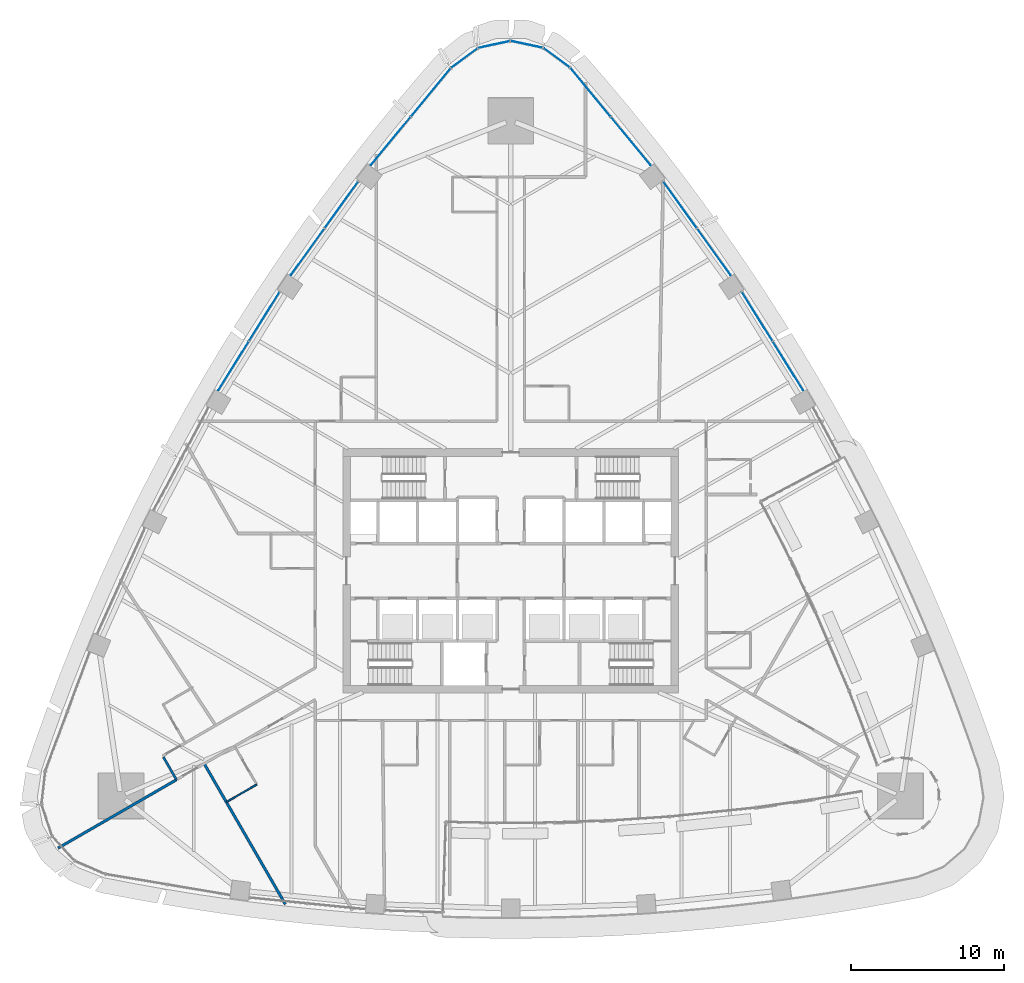
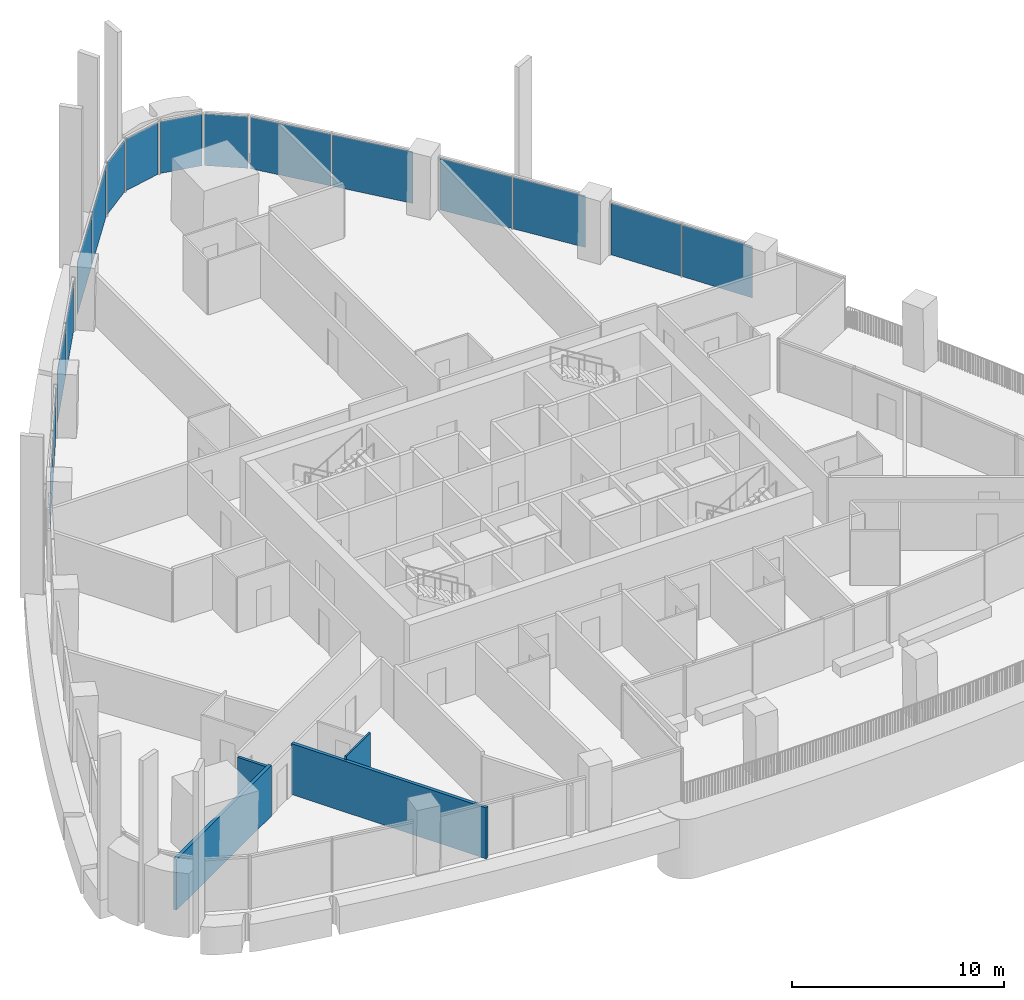
# One storey, part 10 of 22: 16 plates, 4 walls, 10 elements without a shape of their own.
"""IFC4 building model written with IfcOpenShell, lengths in metres."""

import ifcopenshell
import ifcopenshell.guid

model = None  # the IFC model being written
_history = None  # IfcOwnerHistory: only IFC2X3 demands one
_inside = {}  # id of a spatial element -> (the spatial element, [elements in it])
_under = {}  # id of a project, library or spatial element -> (it, [spatial elements below it])
_declared = {}  # id of a project -> (the project, [libraries it declares])
_typed = {}  # id of a type object -> (the type object, [elements of that type])
_made_of = {}  # id of a material, layer set ... -> (it, [elements and type objects made of it])


def new_model(schema):
    """Start an empty IFC model of exactly this schema.

    Asked for "IFC4X3", IfcOpenShell would pick the latest addendum, in which some entities
    have other attributes; the version numbers below select the first issue.
    IFC2X3 requires an IfcOwnerHistory on every rooted entity: one is made here for all.
    """
    global model, _history
    if schema == "IFC4X3":
        model = ifcopenshell.file(schema_version=(4, 3, 0, 0))
    else:
        model = ifcopenshell.file(schema=schema)
    _inside.clear()
    _under.clear()
    _declared.clear()
    _typed.clear()
    _made_of.clear()
    _history = None
    if model.schema == "IFC2X3":
        org = make("IfcOrganization", Name="unknown")
        user = make(
            "IfcPersonAndOrganization",
            ThePerson=make("IfcPerson", FamilyName="unknown"),
            TheOrganization=org,
        )
        app = make(
            "IfcApplication",
            ApplicationDeveloper=org,
            Version="unknown",
            ApplicationFullName="unknown",
            ApplicationIdentifier="unknown",
        )
        _history = make(
            "IfcOwnerHistory",
            OwningUser=user,
            OwningApplication=app,
            ChangeAction="ADDED",
            CreationDate=0,
        )
    return model


def make(cls, **values):
    """One entity of the class cls with the attributes given. An attribute that is None is left unset."""
    return model.create_entity(
        cls, **{name: value for name, value in values.items() if value is not None}
    )


def rooted(cls, **values):
    """An entity with a GlobalId (a new one), such as an element, a storey or a relation."""
    return make(cls, GlobalId=ifcopenshell.guid.new(), OwnerHistory=_history, **values)


def si_unit(unit_type, name, prefix=None):
    """IfcSIUnit, for example si_unit("LENGTHUNIT", "METRE", prefix="MILLI")."""
    return make("IfcSIUnit", UnitType=unit_type, Prefix=prefix, Name=name)


def assignment(units):
    """IfcUnitAssignment: the units of a project."""
    return None if units is None else make("IfcUnitAssignment", Units=units)


def point(xyz):
    """IfcCartesianPoint."""
    return None if xyz is None else make("IfcCartesianPoint", Coordinates=xyz)


def direction(xyz):
    """IfcDirection."""
    return None if xyz is None else make("IfcDirection", DirectionRatios=xyz)


def frame(location, z_axis=None, x_axis=None):
    """IfcAxis2Placement3D, a coordinate frame: its origin and axes. An axis left out is left unset."""
    return make(
        "IfcAxis2Placement3D",
        Location=point(location),
        Axis=direction(z_axis),
        RefDirection=direction(x_axis),
    )


def frame_2d(location, x_axis=None):
    """IfcAxis2Placement2D, a coordinate frame in the plane: its origin and x axis."""
    return make(
        "IfcAxis2Placement2D", Location=point(location), RefDirection=direction(x_axis)
    )


def origin():
    """The frame at (0, 0, 0) with its axes left unset."""
    return frame((0.0, 0.0, 0.0))


def origin_2d():
    """The frame at (0, 0) in the plane with its x axis left unset."""
    return frame_2d((0.0, 0.0))


def place(relative_to, where):
    """IfcLocalPlacement: puts the frame where relative to a parent placement (None: the world)."""
    return make(
        "IfcLocalPlacement", PlacementRelTo=relative_to, RelativePlacement=where
    )


def context(
    kind, dimensions, precision=None, world=None, true_north=None, identifier=None
):
    """IfcGeometricRepresentationContext, for example the 3D "Model" context."""
    return make(
        "IfcGeometricRepresentationContext",
        ContextIdentifier=identifier,
        ContextType=kind,
        CoordinateSpaceDimension=dimensions,
        Precision=precision,
        WorldCoordinateSystem=world,
        TrueNorth=true_north,
    )


def subcontext(parent, identifier, kind, view, scale=None):
    """IfcGeometricRepresentationSubContext, for example "Body" below "Model"."""
    return make(
        "IfcGeometricRepresentationSubContext",
        ContextIdentifier=identifier,
        ContextType=kind,
        ParentContext=parent,
        TargetScale=scale,
        TargetView=view,
    )


def project(units=None, contexts=None):
    """IfcProject with its units and contexts."""
    return rooted(
        "IfcProject",
        Name="project",
        RepresentationContexts=contexts,
        UnitsInContext=assignment(units),
    )


def spatial(cls, under=None, at=None, **own):
    """A site, building, storey or space (cls), placed at a placement, below another one or the project."""
    s = rooted(cls, ObjectPlacement=at, **own)
    if under is not None:
        _under.setdefault(under.id(), (under, []))[1].append(s)
    return s


def profile(cls, at=None, kind="AREA", **sizes):
    """A parametric profile (cls). Its sizes go by their IFC names, for example OverallWidth=200.0."""
    return make(cls, ProfileType=kind, Position=at, **sizes)


def rectangle(**sizes):
    """IfcRectangleProfileDef."""
    return profile("IfcRectangleProfileDef", **sizes)


def extrude(swept, where, along, depth):
    """IfcExtrudedAreaSolid: the profile swept, set in the frame where, extruded along a direction by depth."""
    return make(
        "IfcExtrudedAreaSolid",
        SweptArea=swept,
        Position=where,
        ExtrudedDirection=direction(along),
        Depth=depth,
    )


def shape(context_of_items, identifier, shape_type, items):
    """IfcShapeRepresentation: the items that make up one representation, for example the "Body"."""
    return make(
        "IfcShapeRepresentation",
        ContextOfItems=context_of_items,
        RepresentationIdentifier=identifier,
        RepresentationType=shape_type,
        Items=items,
    )


def material(Name=None, Category=None):
    """IfcMaterial."""
    return make("IfcMaterial", Name=Name, Category=Category)


def layer(
    of_material, thickness, ventilated=None, Name=None, Category=None, Priority=None
):
    """IfcMaterialLayer: one layer of a wall or slab, of a material (None: an air gap)."""
    return make(
        "IfcMaterialLayer",
        Material=of_material,
        LayerThickness=thickness,
        IsVentilated=ventilated,
        Name=Name,
        Category=Category,
        Priority=Priority,
    )


def layer_set(layers, Name=None):
    """IfcMaterialLayerSet."""
    return make("IfcMaterialLayerSet", MaterialLayers=layers, LayerSetName=Name)


def made_of(thing, what):
    """Note that an element or type object is made of a material, layer set ...; save() writes the relation."""
    if what is not None:
        _made_of.setdefault(what.id(), (what, []))[1].append(thing)
    return thing


def type_object(cls, material=None, **own):
    """A type object (cls), such as IfcWallType, which elements share."""
    return made_of(rooted(cls, **own), material)


def element(
    cls,
    number,
    at=None,
    inside=None,
    cuts=None,
    type_object=None,
    material=None,
    context=None,
    identifier="Body",
    shape_type=None,
    held_by="IfcProductDefinitionShape",
    body=None,
    shapes=None,
    **own,
):
    """One element of the class cls, such as IfcWall. Its Tag is "e" and its number.

    at: its placement. inside: the storey or other place that contains it. cuts: it is an
    opening in that element (IfcRelVoidsElement). A single representation is given by context,
    identifier, shape_type and body (its items); several are given by shapes. held_by: the class
    of the entity that holds the representations. save() writes the other relations.
    """
    e = rooted(cls, Tag="e%d" % number, ObjectPlacement=at, **own)
    if body is not None:
        shapes = [shape(context, identifier, shape_type, body)]
    if shapes is not None:
        e.Representation = make(held_by, Representations=shapes)
    if inside is not None:
        _inside.setdefault(inside.id(), (inside, []))[1].append(e)
    if cuts is not None:
        rooted(
            "IfcRelVoidsElement", RelatingBuildingElement=cuts, RelatedOpeningElement=e
        )
    if type_object is not None:
        _typed.setdefault(type_object.id(), (type_object, []))[1].append(e)
    return made_of(e, material)


def aggregate(whole, parts):
    """IfcRelAggregates: a whole, such as a stair, and the parts it consists of."""
    return rooted("IfcRelAggregates", RelatingObject=whole, RelatedObjects=parts)


def save(model, path):
    """Write the relations noted so far, then the file.

    IfcRelAggregates (storeys below a building ...), IfcRelContainedInSpatialStructure (elements
    in a storey), IfcRelDefinesByType, IfcRelAssociatesMaterial and IfcRelDeclares: one each for
    every whole, place, type object, material and project.
    """
    for whole, parts in _under.values():
        aggregate(whole, parts)
    for where, things in _inside.values():
        rooted(
            "IfcRelContainedInSpatialStructure",
            RelatedElements=things,
            RelatingStructure=where,
        )
    for kind, things in _typed.values():
        rooted("IfcRelDefinesByType", RelatedObjects=things, RelatingType=kind)
    for what, things in _made_of.values():
        rooted("IfcRelAssociatesMaterial", RelatedObjects=things, RelatingMaterial=what)
    for by, libraries in _declared.values():
        rooted("IfcRelDeclares", RelatingContext=by, RelatedDefinitions=libraries)
    model.write(path)


model = new_model("IFC4")

# Units and contexts
model_context = context("Model", 3, precision=1e-05, world=origin(), true_north=direction((0.0, 1.0)))
body_context = subcontext(model_context, "Body", "Model", "MODEL_VIEW")
ifc_project = project(units=[si_unit("LENGTHUNIT", "METRE"), si_unit("AREAUNIT", "SQUARE_METRE"), si_unit("VOLUMEUNIT", "CUBIC_METRE"), si_unit("PLANEANGLEUNIT", "RADIAN"), si_unit("MASSUNIT", "GRAM", prefix="KILO")], contexts=[model_context])

# Site, building, storey
site_placement = place(None, origin())
site = spatial("IfcSite", under=ifc_project, at=site_placement, CompositionType="ELEMENT")
building_placement = place(site_placement, origin())
building = spatial("IfcBuilding", under=site, at=building_placement, Name="Sierra Prisma Convention Tower", CompositionType="ELEMENT")
storey_placement = place(building_placement, frame((0.0, 0.0, 103.5)))
storey = spatial("IfcBuildingStorey", under=building, at=storey_placement, Name="L22", CompositionType="ELEMENT", Elevation=103.5)

# Curtain wall, plates
ifc_material_1 = material(Name="Aluminium and glass curtain wall", Category="aluminium")
ifc_layer_1 = layer(ifc_material_1, 0.179931640625)
ifc_layer_set_1 = layer_set([ifc_layer_1], Name="CW-1 Plain shaft curtain wall")
curtain_wall_type = type_object("IfcCurtainWallType", Name="CW-1 Plain shaft curtain wall", PredefinedType="NOTDEFINED", material=ifc_layer_set_1)
curtain_wall_1_placement = place(storey_placement, origin())
curtain_wall_1 = element("IfcCurtainWall", 1, at=curtain_wall_1_placement, inside=storey, type_object=curtain_wall_type, Name="CW-1 NE4 L22", PredefinedType="NOTDEFINED")
ifc_material_2 = material(Name="Tinted glass bronze-grey IGU", Category="glass")
ifc_layer_2 = layer(ifc_material_2, 0.028076171875)
ifc_layer_set_2 = layer_set([ifc_layer_2], Name="CW-1 glass panel")
plate_type = type_object("IfcPlateType", Name="CW-1 glass panel", PredefinedType="CURTAIN_PANEL", material=ifc_layer_set_2)
plate_1_placement = place(storey_placement, frame((18.156982421875, 13.418701171875, 0.0), z_axis=(0.0, 0.0, 1.0), x_axis=(-0.528572824995, 0.848887960026, 0.0)))
plate_1 = element("IfcPlate", 2, at=plate_1_placement, type_object=plate_type, Name="CW-1 panel NE4.1", PredefinedType="CURTAIN_PANEL", context=body_context, shape_type="SweptSolid", body=[
    extrude(rectangle(XDim=3.74755859375, YDim=0.028076171875, at=origin_2d()), origin(), (0.0, 0.0, 1.0), 2.97998046875),
])
plate_2_placement = place(storey_placement, frame((16.13916015625, 16.659423828125, 0.0), z_axis=(0.0, 0.0, 1.0), x_axis=(-0.528572824995, 0.848887960026, 0.0)))
plate_2 = element("IfcPlate", 3, at=plate_2_placement, type_object=plate_type, Name="CW-1 panel NE4.2", PredefinedType="CURTAIN_PANEL", context=body_context, shape_type="SweptSolid", body=[
    extrude(rectangle(XDim=3.74755859375, YDim=0.028076171875, at=origin_2d()), origin(), (0.0, 0.0, 1.0), 2.97998046875),
])
aggregate(curtain_wall_1, [plate_1, plate_2])

curtain_wall_2_placement = place(storey_placement, origin())
curtain_wall_2 = element("IfcCurtainWall", 4, at=curtain_wall_2_placement, inside=storey, type_object=curtain_wall_type, Name="CW-1 NE5 L22", PredefinedType="NOTDEFINED")
plate_3_placement = place(storey_placement, frame((13.30712890625, 20.888427734375, 0.0), z_axis=(0.0, 0.0, 1.0), x_axis=(-0.583927104301, 0.811806095606, 0.0)))
plate_3 = element("IfcPlate", 5, at=plate_3_placement, type_object=plate_type, Name="CW-1 panel NE5.1", PredefinedType="CURTAIN_PANEL", context=body_context, shape_type="SweptSolid", body=[
    extrude(rectangle(XDim=3.732177734375, YDim=0.028076171875, at=origin_2d()), origin(), (0.0, 0.0, 1.0), 2.97998046875),
])
plate_4_placement = place(storey_placement, frame((11.086669921875, 23.97509765625, 0.0), z_axis=(0.0, 0.0, 1.0), x_axis=(-0.583927104301, 0.811806095606, 0.0)))
plate_4 = element("IfcPlate", 6, at=plate_4_placement, type_object=plate_type, Name="CW-1 panel NE5.2", PredefinedType="CURTAIN_PANEL", context=body_context, shape_type="SweptSolid", body=[
    extrude(rectangle(XDim=3.732177734375, YDim=0.028076171875, at=origin_2d()), origin(), (0.0, 0.0, 1.0), 2.97998046875),
])
aggregate(curtain_wall_2, [plate_3, plate_4])

curtain_wall_3_placement = place(storey_placement, origin())
curtain_wall_3 = element("IfcCurtainWall", 7, at=curtain_wall_3_placement, inside=storey, type_object=curtain_wall_type, Name="CW-1 NE6 L22", PredefinedType="NOTDEFINED")
plate_5_placement = place(storey_placement, frame((7.863525390625, 28.148681640625, 0.0), z_axis=(0.0, 0.0, 1.0), x_axis=(-0.636689237234, 0.771120493302, 0.0)))
plate_5 = element("IfcPlate", 8, at=plate_5_placement, type_object=plate_type, Name="CW-1 panel NE6.1", PredefinedType="CURTAIN_PANEL", context=body_context, shape_type="SweptSolid", body=[
    extrude(rectangle(XDim=4.053955078125, YDim=0.028076171875, at=origin_2d()), origin(), (0.0, 0.0, 1.0), 2.97998046875),
])
plate_6_placement = place(storey_placement, frame((5.23779296875, 31.328857421875, 0.0), z_axis=(0.0, 0.0, 1.0), x_axis=(-0.636689237234, 0.771120493302, 0.0)))
plate_6 = element("IfcPlate", 9, at=plate_6_placement, type_object=plate_type, Name="CW-1 panel NE6.2", PredefinedType="CURTAIN_PANEL", context=body_context, shape_type="SweptSolid", body=[
    extrude(rectangle(XDim=4.053955078125, YDim=0.028076171875, at=origin_2d()), origin(), (0.0, 0.0, 1.0), 2.97998046875),
])
aggregate(curtain_wall_3, [plate_5, plate_6])

# Curtain wall, plate
curtain_wall_4_placement = place(storey_placement, origin())
curtain_wall_4 = element("IfcCurtainWall", 10, at=curtain_wall_4_placement, inside=storey, type_object=curtain_wall_type, Name="CW-1 N1 L22", PredefinedType="NOTDEFINED")
plate_7_placement = place(storey_placement, frame((3.021728515625, 33.595703125, 0.0), z_axis=(0.0, 0.0, 1.0), x_axis=(-0.804798982615, 0.593547468684, 0.0)))
plate_7 = element("IfcPlate", 11, at=plate_7_placement, type_object=plate_type, Name="CW-1 panel N1.1", PredefinedType="CURTAIN_PANEL", context=body_context, shape_type="SweptSolid", body=[
    extrude(rectangle(XDim=2.049560546875, YDim=0.028076171875, at=origin_2d()), origin(), (0.0, 0.0, 1.0), 2.97998046875),
])
aggregate(curtain_wall_4, [plate_7])

curtain_wall_5_placement = place(storey_placement, origin())
curtain_wall_5 = element("IfcCurtainWall", 12, at=curtain_wall_5_placement, inside=storey, type_object=curtain_wall_type, Name="CW-1 N2 L22", PredefinedType="NOTDEFINED")
plate_8_placement = place(storey_placement, frame((1.0703125, 34.4755859375, 0.0), z_axis=(0.0, 0.0, 1.0), x_axis=(-0.977649925609, 0.210239441963, 0.0)))
plate_8 = element("IfcPlate", 13, at=plate_8_placement, type_object=plate_type, Name="CW-1 panel N2.1", PredefinedType="CURTAIN_PANEL", context=body_context, shape_type="SweptSolid", body=[
    extrude(rectangle(XDim=2.049560546875, YDim=0.028076171875, at=origin_2d()), origin(), (0.0, 0.0, 1.0), 2.97998046875),
])
aggregate(curtain_wall_5, [plate_8])

curtain_wall_6_placement = place(storey_placement, origin())
curtain_wall_6 = element("IfcCurtainWall", 14, at=curtain_wall_6_placement, inside=storey, type_object=curtain_wall_type, Name="CW-1 N3 L22", PredefinedType="NOTDEFINED")
plate_9_placement = place(storey_placement, frame((-1.0703125, 34.4755859375, 0.0), z_axis=(0.0, 0.0, 1.0), x_axis=(-0.977649925609, -0.210239441963, 0.0)))
plate_9 = element("IfcPlate", 15, at=plate_9_placement, type_object=plate_type, Name="CW-1 panel N3.1", PredefinedType="CURTAIN_PANEL", context=body_context, shape_type="SweptSolid", body=[
    extrude(rectangle(XDim=2.049560546875, YDim=0.028076171875, at=origin_2d()), origin(), (0.0, 0.0, 1.0), 2.97998046875),
])
aggregate(curtain_wall_6, [plate_9])

curtain_wall_7_placement = place(storey_placement, origin())
curtain_wall_7 = element("IfcCurtainWall", 16, at=curtain_wall_7_placement, inside=storey, type_object=curtain_wall_type, Name="CW-1 N4 L22", PredefinedType="NOTDEFINED")
plate_10_placement = place(storey_placement, frame((-3.021728515625, 33.595703125, 0.0), z_axis=(0.0, 0.0, 1.0), x_axis=(-0.804798982615, -0.593547468684, 0.0)))
plate_10 = element("IfcPlate", 17, at=plate_10_placement, type_object=plate_type, Name="CW-1 panel N4.1", PredefinedType="CURTAIN_PANEL", context=body_context, shape_type="SweptSolid", body=[
    extrude(rectangle(XDim=2.049560546875, YDim=0.028076171875, at=origin_2d()), origin(), (0.0, 0.0, 1.0), 2.97998046875),
])
aggregate(curtain_wall_7, [plate_10])

# Curtain wall, plates
curtain_wall_8_placement = place(storey_placement, origin())
curtain_wall_8 = element("IfcCurtainWall", 18, at=curtain_wall_8_placement, inside=storey, type_object=curtain_wall_type, Name="CW-1 NW1 L22", PredefinedType="NOTDEFINED")
plate_11_placement = place(storey_placement, frame((-5.23779296875, 31.328857421875, 0.0), z_axis=(0.0, 0.0, 1.0), x_axis=(-0.636689237234, -0.771120493302, 0.0)))
plate_11 = element("IfcPlate", 19, at=plate_11_placement, type_object=plate_type, Name="CW-1 panel NW1.1", PredefinedType="CURTAIN_PANEL", context=body_context, shape_type="SweptSolid", body=[
    extrude(rectangle(XDim=4.053955078125, YDim=0.028076171875, at=origin_2d()), origin(), (0.0, 0.0, 1.0), 2.97998046875),
])
plate_12_placement = place(storey_placement, frame((-7.863525390625, 28.148681640625, 0.0), z_axis=(0.0, 0.0, 1.0), x_axis=(-0.636689237234, -0.771120493302, 0.0)))
plate_12 = element("IfcPlate", 20, at=plate_12_placement, type_object=plate_type, Name="CW-1 panel NW1.2", PredefinedType="CURTAIN_PANEL", context=body_context, shape_type="SweptSolid", body=[
    extrude(rectangle(XDim=4.053955078125, YDim=0.028076171875, at=origin_2d()), origin(), (0.0, 0.0, 1.0), 2.97998046875),
])
aggregate(curtain_wall_8, [plate_11, plate_12])

curtain_wall_9_placement = place(storey_placement, origin())
curtain_wall_9 = element("IfcCurtainWall", 21, at=curtain_wall_9_placement, inside=storey, type_object=curtain_wall_type, Name="CW-1 NW2 L22", PredefinedType="NOTDEFINED")
plate_13_placement = place(storey_placement, frame((-11.087646484375, 23.973876953125, 0.0), z_axis=(0.0, 0.0, 1.0), x_axis=(-0.583927104301, -0.811806095606, 0.0)))
plate_13 = element("IfcPlate", 22, at=plate_13_placement, type_object=plate_type, Name="CW-1 panel NW2.1", PredefinedType="CURTAIN_PANEL", context=body_context, shape_type="SweptSolid", body=[
    extrude(rectangle(XDim=3.7314453125, YDim=0.028076171875, at=origin_2d()), origin(), (0.0, 0.0, 1.0), 2.97998046875),
])
plate_14_placement = place(storey_placement, frame((-13.307373046875, 20.887939453125, 0.0), z_axis=(0.0, 0.0, 1.0), x_axis=(-0.583927104301, -0.811806095606, 0.0)))
plate_14 = element("IfcPlate", 23, at=plate_14_placement, type_object=plate_type, Name="CW-1 panel NW2.2", PredefinedType="CURTAIN_PANEL", context=body_context, shape_type="SweptSolid", body=[
    extrude(rectangle(XDim=3.7314453125, YDim=0.028076171875, at=origin_2d()), origin(), (0.0, 0.0, 1.0), 2.97998046875),
])
aggregate(curtain_wall_9, [plate_13, plate_14])

curtain_wall_10_placement = place(storey_placement, origin())
curtain_wall_10 = element("IfcCurtainWall", 24, at=curtain_wall_10_placement, inside=storey, type_object=curtain_wall_type, Name="CW-1 NW3 L22", PredefinedType="NOTDEFINED")
plate_15_placement = place(storey_placement, frame((-16.13916015625, 16.6591796875, 0.0), z_axis=(0.0, 0.0, 1.0), x_axis=(-0.528572824995, -0.848887960026, 0.0)))
plate_15 = element("IfcPlate", 25, at=plate_15_placement, type_object=plate_type, Name="CW-1 panel NW3.1", PredefinedType="CURTAIN_PANEL", context=body_context, shape_type="SweptSolid", body=[
    extrude(rectangle(XDim=3.74755859375, YDim=0.028076171875, at=origin_2d()), origin(), (0.0, 0.0, 1.0), 2.97998046875),
])
plate_16_placement = place(storey_placement, frame((-18.156982421875, 13.418701171875, 0.0), z_axis=(0.0, 0.0, 1.0), x_axis=(-0.528572824995, -0.848887960026, 0.0)))
plate_16 = element("IfcPlate", 26, at=plate_16_placement, type_object=plate_type, Name="CW-1 panel NW3.2", PredefinedType="CURTAIN_PANEL", context=body_context, shape_type="SweptSolid", body=[
    extrude(rectangle(XDim=3.74755859375, YDim=0.028076171875, at=origin_2d()), origin(), (0.0, 0.0, 1.0), 2.97998046875),
])
aggregate(curtain_wall_10, [plate_15, plate_16])

# Walls
ifc_material_3 = material(Name="Gypsum board partition", Category="gypsum")
ifc_layer_3 = layer(ifc_material_3, 0.10009765625)
ifc_layer_set_3 = layer_set([ifc_layer_3], Name="Bathroom partition 100")
wall_type_1 = type_object("IfcWallType", Name="Bathroom partition 100", PredefinedType="PARTITIONING", material=ifc_layer_set_3)
wall_1_placement = place(storey_placement, frame((-16.6328125, -13.99072265625, 0.0), z_axis=(0.0, 0.0, 1.0), x_axis=(-0.866017224141, -0.500014167291, 0.0)))
element("IfcWall", 27, at=wall_1_placement, inside=storey, type_object=wall_type_1, Name="Partition L22 bath 4", PredefinedType="PARTITIONING", context=body_context, shape_type="SweptSolid", body=[
    extrude(rectangle(XDim=2.27001953125, YDim=0.10009765625, at=frame_2d((1.135009765625, 0.0))), origin(), (0.0, 0.0, 1.0), 3.14990234375),
])
ifc_material_4 = material(Name="Gypsum board partition", Category="gypsum")
ifc_layer_4 = layer(ifc_material_4, 0.14990234375)
ifc_layer_set_4 = layer_set([ifc_layer_4], Name="Corridor wall 150 gypsum EI 60")
wall_type_2 = type_object("IfcWallType", Name="Corridor wall 150 gypsum EI 60", PredefinedType="PARTITIONING", material=ifc_layer_set_4)
wall_2_placement = place(storey_placement, frame((-22.752197265625, -12.189208984375, 0.0), z_axis=(0.0, 0.0, 1.0), x_axis=(0.500062383118, -0.865989383878, 0.0)))
element("IfcWall", 28, at=wall_2_placement, inside=storey, type_object=wall_type_2, Name="Partition L22 corr 2", PredefinedType="PARTITIONING", context=body_context, shape_type="SweptSolid", body=[
    extrude(rectangle(XDim=1.719970703125, YDim=0.14990234375, at=frame_2d((0.85986328125, 0.0))), origin(), (0.0, 0.0, 1.0), 2.797119140625),
])
ifc_material_5 = material(Name="Acoustic gypsum board partition", Category="gypsum")
ifc_layer_5 = layer(ifc_material_5, 0.175048828125)
ifc_layer_set_5 = layer_set([ifc_layer_5], Name="Guest room party wall 175 acoustic EI 60")
wall_type_3 = type_object("IfcWallType", Name="Guest room party wall 175 acoustic EI 60", PredefinedType="PARTITIONING", material=ifc_layer_set_5)
wall_3_placement = place(storey_placement, frame((-21.89208984375, -13.6787109375, 0.0), z_axis=(0.0, 0.0, 1.0), x_axis=(-0.866027664105, -0.49999608499, 0.0)))
element("IfcWall", 29, at=wall_3_placement, inside=storey, type_object=wall_type_3, Name="Partition L22 hparty 1", PredefinedType="PARTITIONING", context=body_context, shape_type="SweptSolid", body=[
    extrude(rectangle(XDim=8.958984375, YDim=0.175048828125, at=frame_2d((4.4794921875, 0.0))), origin(), (0.0, 0.0, 1.0), 2.93408203125),
])
wall_4_placement = place(storey_placement, frame((-14.76123046875, -21.832275390625, 0.0), z_axis=(0.0, 0.0, 1.0), x_axis=(-0.500013467546, 0.866017628154, 0.0)))
element("IfcWall", 30, at=wall_4_placement, inside=storey, type_object=wall_type_3, Name="Partition L22 hparty 6", PredefinedType="PARTITIONING", context=body_context, shape_type="SweptSolid", body=[
    extrude(rectangle(XDim=10.626708984375, YDim=0.175048828125, at=frame_2d((5.3134765625, 0.0))), origin(), (0.0, 0.0, 1.0), 2.93408203125),
])

save(model, "model.ifc")
